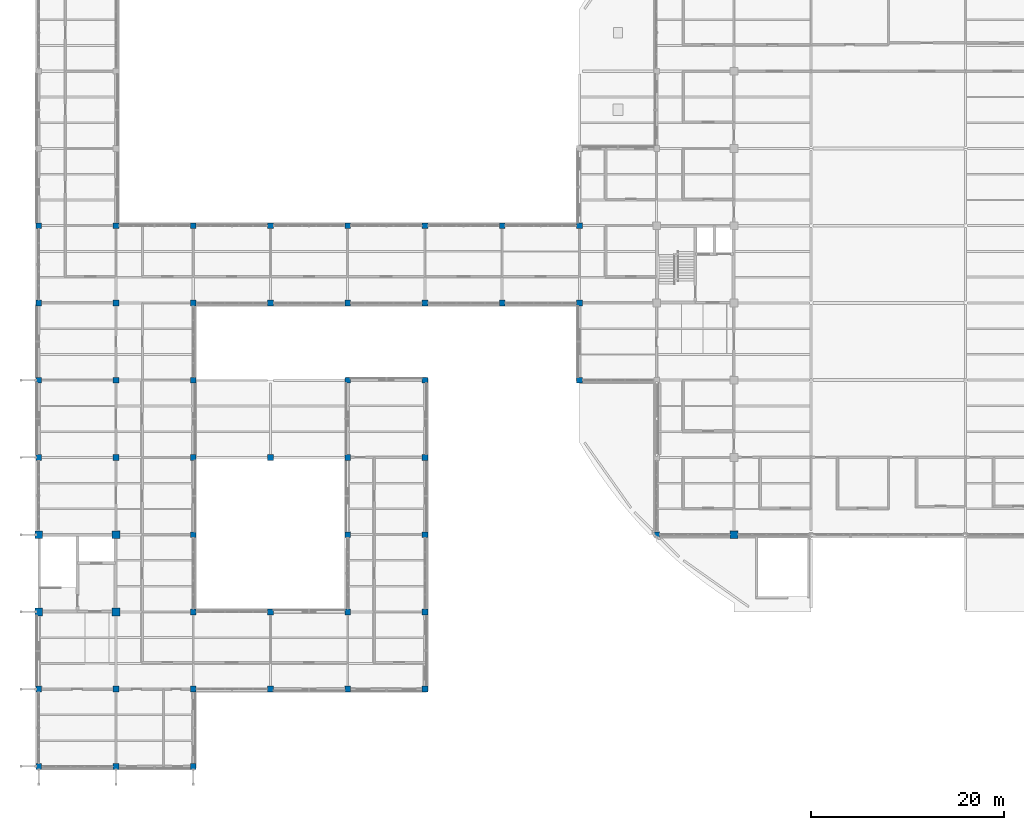
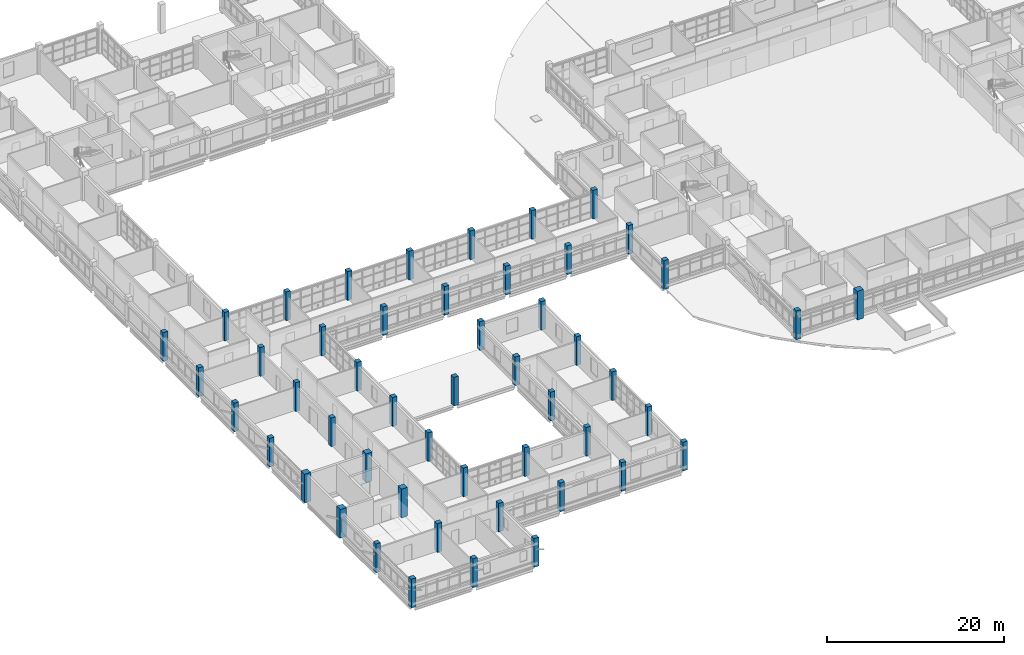
# One storey, part 1 of 126: 50 columns.
"""IFC4 building model written with IfcOpenShell, lengths in metres."""

import ifcopenshell
import ifcopenshell.guid

model = None  # the IFC model being written
_history = None  # IfcOwnerHistory: only IFC2X3 demands one
_inside = {}  # id of a spatial element -> (the spatial element, [elements in it])
_under = {}  # id of a project, library or spatial element -> (it, [spatial elements below it])
_declared = {}  # id of a project -> (the project, [libraries it declares])
_typed = {}  # id of a type object -> (the type object, [elements of that type])
_made_of = {}  # id of a material, layer set ... -> (it, [elements and type objects made of it])


def new_model(schema):
    """Start an empty IFC model of exactly this schema.

    Asked for "IFC4X3", IfcOpenShell would pick the latest addendum, in which some entities
    have other attributes; the version numbers below select the first issue.
    IFC2X3 requires an IfcOwnerHistory on every rooted entity: one is made here for all.
    """
    global model, _history
    if schema == "IFC4X3":
        model = ifcopenshell.file(schema_version=(4, 3, 0, 0))
    else:
        model = ifcopenshell.file(schema=schema)
    _inside.clear()
    _under.clear()
    _declared.clear()
    _typed.clear()
    _made_of.clear()
    _history = None
    if model.schema == "IFC2X3":
        org = make("IfcOrganization", Name="unknown")
        user = make(
            "IfcPersonAndOrganization",
            ThePerson=make("IfcPerson", FamilyName="unknown"),
            TheOrganization=org,
        )
        app = make(
            "IfcApplication",
            ApplicationDeveloper=org,
            Version="unknown",
            ApplicationFullName="unknown",
            ApplicationIdentifier="unknown",
        )
        _history = make(
            "IfcOwnerHistory",
            OwningUser=user,
            OwningApplication=app,
            ChangeAction="ADDED",
            CreationDate=0,
        )
    return model


def make(cls, **values):
    """One entity of the class cls with the attributes given. An attribute that is None is left unset."""
    return model.create_entity(
        cls, **{name: value for name, value in values.items() if value is not None}
    )


def rooted(cls, **values):
    """An entity with a GlobalId (a new one), such as an element, a storey or a relation."""
    return make(cls, GlobalId=ifcopenshell.guid.new(), OwnerHistory=_history, **values)


def si_unit(unit_type, name, prefix=None):
    """IfcSIUnit, for example si_unit("LENGTHUNIT", "METRE", prefix="MILLI")."""
    return make("IfcSIUnit", UnitType=unit_type, Prefix=prefix, Name=name)


def derived_unit(unit_type, elements):
    """IfcDerivedUnit: a product of units, each with its exponent."""
    return make(
        "IfcDerivedUnit",
        Elements=[
            make("IfcDerivedUnitElement", Unit=unit, Exponent=power)
            for unit, power in elements
        ],
        UnitType=unit_type,
    )


def assignment(units):
    """IfcUnitAssignment: the units of a project."""
    return None if units is None else make("IfcUnitAssignment", Units=units)


def point(xyz):
    """IfcCartesianPoint."""
    return None if xyz is None else make("IfcCartesianPoint", Coordinates=xyz)


def direction(xyz):
    """IfcDirection."""
    return None if xyz is None else make("IfcDirection", DirectionRatios=xyz)


def frame(location, z_axis=None, x_axis=None):
    """IfcAxis2Placement3D, a coordinate frame: its origin and axes. An axis left out is left unset."""
    return make(
        "IfcAxis2Placement3D",
        Location=point(location),
        Axis=direction(z_axis),
        RefDirection=direction(x_axis),
    )


def frame_2d(location, x_axis=None):
    """IfcAxis2Placement2D, a coordinate frame in the plane: its origin and x axis."""
    return make(
        "IfcAxis2Placement2D", Location=point(location), RefDirection=direction(x_axis)
    )


def origin():
    """The frame at (0, 0, 0) with its axes left unset."""
    return frame((0.0, 0.0, 0.0))


def origin_2d():
    """The frame at (0, 0) in the plane with its x axis left unset."""
    return frame_2d((0.0, 0.0))


def place(relative_to, where):
    """IfcLocalPlacement: puts the frame where relative to a parent placement (None: the world)."""
    return make(
        "IfcLocalPlacement", PlacementRelTo=relative_to, RelativePlacement=where
    )


def context(
    kind, dimensions, precision=None, world=None, true_north=None, identifier=None
):
    """IfcGeometricRepresentationContext, for example the 3D "Model" context."""
    return make(
        "IfcGeometricRepresentationContext",
        ContextIdentifier=identifier,
        ContextType=kind,
        CoordinateSpaceDimension=dimensions,
        Precision=precision,
        WorldCoordinateSystem=world,
        TrueNorth=true_north,
    )


def subcontext(parent, identifier, kind, view, scale=None):
    """IfcGeometricRepresentationSubContext, for example "Body" below "Model"."""
    return make(
        "IfcGeometricRepresentationSubContext",
        ContextIdentifier=identifier,
        ContextType=kind,
        ParentContext=parent,
        TargetScale=scale,
        TargetView=view,
    )


def project(units=None, contexts=None):
    """IfcProject with its units and contexts."""
    return rooted(
        "IfcProject",
        Name="project",
        RepresentationContexts=contexts,
        UnitsInContext=assignment(units),
    )


def spatial(cls, under=None, at=None, **own):
    """A site, building, storey or space (cls), placed at a placement, below another one or the project."""
    s = rooted(cls, ObjectPlacement=at, **own)
    if under is not None:
        _under.setdefault(under.id(), (under, []))[1].append(s)
    return s


def profile(cls, at=None, kind="AREA", **sizes):
    """A parametric profile (cls). Its sizes go by their IFC names, for example OverallWidth=200.0."""
    return make(cls, ProfileType=kind, Position=at, **sizes)


def rectangle(**sizes):
    """IfcRectangleProfileDef."""
    return profile("IfcRectangleProfileDef", **sizes)


def extrude(swept, where, along, depth):
    """IfcExtrudedAreaSolid: the profile swept, set in the frame where, extruded along a direction by depth."""
    return make(
        "IfcExtrudedAreaSolid",
        SweptArea=swept,
        Position=where,
        ExtrudedDirection=direction(along),
        Depth=depth,
    )


def shape(context_of_items, identifier, shape_type, items):
    """IfcShapeRepresentation: the items that make up one representation, for example the "Body"."""
    return make(
        "IfcShapeRepresentation",
        ContextOfItems=context_of_items,
        RepresentationIdentifier=identifier,
        RepresentationType=shape_type,
        Items=items,
    )


def material(Name=None, Category=None):
    """IfcMaterial."""
    return make("IfcMaterial", Name=Name, Category=Category)


def material_profile(
    of_material, cross_section, Name=None, Category=None, Priority=None
):
    """IfcMaterialProfile: a cross section and its material."""
    return make(
        "IfcMaterialProfile",
        Name=Name,
        Material=of_material,
        Profile=cross_section,
        Priority=Priority,
        Category=Category,
    )


def profile_set(profiles, Name=None, composite=None):
    """IfcMaterialProfileSet."""
    return make(
        "IfcMaterialProfileSet",
        Name=Name,
        MaterialProfiles=profiles,
        CompositeProfile=composite,
    )


def made_of(thing, what):
    """Note that an element or type object is made of a material, layer set ...; save() writes the relation."""
    if what is not None:
        _made_of.setdefault(what.id(), (what, []))[1].append(thing)
    return thing


def type_object(cls, material=None, **own):
    """A type object (cls), such as IfcWallType, which elements share."""
    return made_of(rooted(cls, **own), material)


def element(
    cls,
    number,
    at=None,
    inside=None,
    cuts=None,
    type_object=None,
    material=None,
    context=None,
    identifier="Body",
    shape_type=None,
    held_by="IfcProductDefinitionShape",
    body=None,
    shapes=None,
    **own,
):
    """One element of the class cls, such as IfcWall. Its Tag is "e" and its number.

    at: its placement. inside: the storey or other place that contains it. cuts: it is an
    opening in that element (IfcRelVoidsElement). A single representation is given by context,
    identifier, shape_type and body (its items); several are given by shapes. held_by: the class
    of the entity that holds the representations. save() writes the other relations.
    """
    e = rooted(cls, Tag="e%d" % number, ObjectPlacement=at, **own)
    if body is not None:
        shapes = [shape(context, identifier, shape_type, body)]
    if shapes is not None:
        e.Representation = make(held_by, Representations=shapes)
    if inside is not None:
        _inside.setdefault(inside.id(), (inside, []))[1].append(e)
    if cuts is not None:
        rooted(
            "IfcRelVoidsElement", RelatingBuildingElement=cuts, RelatedOpeningElement=e
        )
    if type_object is not None:
        _typed.setdefault(type_object.id(), (type_object, []))[1].append(e)
    return made_of(e, material)


def aggregate(whole, parts):
    """IfcRelAggregates: a whole, such as a stair, and the parts it consists of."""
    return rooted("IfcRelAggregates", RelatingObject=whole, RelatedObjects=parts)


def save(model, path):
    """Write the relations noted so far, then the file.

    IfcRelAggregates (storeys below a building ...), IfcRelContainedInSpatialStructure (elements
    in a storey), IfcRelDefinesByType, IfcRelAssociatesMaterial and IfcRelDeclares: one each for
    every whole, place, type object, material and project.
    """
    for whole, parts in _under.values():
        aggregate(whole, parts)
    for where, things in _inside.values():
        rooted(
            "IfcRelContainedInSpatialStructure",
            RelatedElements=things,
            RelatingStructure=where,
        )
    for kind, things in _typed.values():
        rooted("IfcRelDefinesByType", RelatedObjects=things, RelatingType=kind)
    for what, things in _made_of.values():
        rooted("IfcRelAssociatesMaterial", RelatedObjects=things, RelatingMaterial=what)
    for by, libraries in _declared.values():
        rooted("IfcRelDeclares", RelatingContext=by, RelatedDefinitions=libraries)
    model.write(path)


model = new_model("IFC4")

# Units and contexts
model_context = context("Model", 3, precision=1e-05, world=origin(), true_north=direction((0.0, 1.0)))
body_context = subcontext(model_context, "Body", "Model", "MODEL_VIEW")
ifc_project = project(units=[si_unit("LENGTHUNIT", "METRE"), si_unit("AREAUNIT", "SQUARE_METRE"), si_unit("VOLUMEUNIT", "CUBIC_METRE"), si_unit("PLANEANGLEUNIT", "RADIAN"), si_unit("MASSUNIT", "GRAM", prefix="KILO"), derived_unit("THERMALTRANSMITTANCEUNIT", [(si_unit("MASSUNIT", "GRAM", prefix="KILO"), 1), (si_unit("TIMEUNIT", "SECOND"), -3), (si_unit("THERMODYNAMICTEMPERATUREUNIT", "KELVIN"), -1)])], contexts=[model_context])

# Site, building, storey
site_placement = place(None, origin())
site = spatial("IfcSite", under=ifc_project, at=site_placement, CompositionType="ELEMENT")
building_placement = place(site_placement, origin())
building = spatial("IfcBuilding", under=site, at=building_placement, Name="Veyamyaing Civic Hall", CompositionType="ELEMENT")
storey_placement = place(building_placement, frame((0.0, 0.0, 9.89990234375)))
storey = spatial("IfcBuildingStorey", under=building, at=storey_placement, Name="L02", CompositionType="ELEMENT", Elevation=9.89990234375)

# Columns
ifc_material = material(Name="Concrete C45/55", Category="concrete")
ifc_material_profile_1 = material_profile(ifc_material, rectangle(XDim=0.800048828125, YDim=0.800048828125, at=origin_2d()), Name="RC-COL-800X800")
ifc_profile_set_1 = profile_set([ifc_material_profile_1], Name="Concrete C45/55")
column_type_1 = type_object("IfcColumnType", Name="C-02", PredefinedType="COLUMN", material=ifc_profile_set_1)
for number, where, z_axis, x_axis, name in (
    (1, (0.0, 16.0, 0.0), (0.0, 0.0, 1.0), (1.0, 0.0, 0.0), "Column C-02 1-C L02"),
    (2, (0.0, 24.0, 0.0), (0.0, 0.0, 1.0), (1.0, 0.0, 0.0), "Column C-02 1-D L02"),
    (3, (8.0, 16.0, 0.0), (0.0, 0.0, 1.0), (1.0, 0.0, 0.0), "Column C-02 2-C L02"),
    (4, (8.0, 24.0, 0.0), (0.0, 0.0, 1.0), (1.0, 0.0, 0.0), "Column C-02 2-D L02"),
    (5, (72.0, 24.0, 0.0), (0.0, 0.0, 1.0), (1.0, 0.0, 0.0), "Column C-02 10-D L02"),
):
    element("IfcColumn", number, at=place(storey_placement, frame(where, z_axis=z_axis, x_axis=x_axis)), inside=storey, type_object=column_type_1, Name=name, PredefinedType="COLUMN", context=body_context, shape_type="SweptSolid", body=[
        extrude(rectangle(XDim=0.800048828125, YDim=0.800048828125, at=origin_2d()), origin(), (0.0, 0.0, 1.0), 3.960205078125),
    ])
ifc_material_profile_2 = material_profile(ifc_material, rectangle(XDim=0.60009765625, YDim=0.60009765625, at=origin_2d()), Name="RC-COL-600X600")
ifc_profile_set_2 = profile_set([ifc_material_profile_2], Name="Concrete C45/55")
column_type_2 = type_object("IfcColumnType", Name="C-06", PredefinedType="COLUMN", material=ifc_profile_set_2)
for number, where, z_axis, x_axis, name in (
    (6, (0.0, 0.0, 0.0), (0.0, 0.0, 1.0), (1.0, 0.0, 0.0), "Column C-06 1-A L02"),
    (7, (0.0, 8.0, 0.0), (0.0, 0.0, 1.0), (1.0, 0.0, 0.0), "Column C-06 1-B L02"),
    (8, (0.0, 32.0, 0.0), (0.0, 0.0, 1.0), (1.0, 0.0, 0.0), "Column C-06 1-E L02"),
    (9, (0.0, 40.0, 0.0), (0.0, 0.0, 1.0), (1.0, 0.0, 0.0), "Column C-06 1-F L02"),
    (10, (0.0, 48.0, 0.0), (0.0, 0.0, 1.0), (1.0, 0.0, 0.0), "Column C-06 1-G L02"),
    (11, (0.0, 56.0, 0.0), (0.0, 0.0, 1.0), (1.0, 0.0, 0.0), "Column C-06 1-H L02"),
    (12, (8.0, 0.0, 0.0), (0.0, 0.0, 1.0), (1.0, 0.0, 0.0), "Column C-06 2-A L02"),
    (13, (8.0, 8.0, 0.0), (0.0, 0.0, 1.0), (1.0, 0.0, 0.0), "Column C-06 2-B L02"),
    (14, (8.0, 32.0, 0.0), (0.0, 0.0, 1.0), (1.0, 0.0, 0.0), "Column C-06 2-E L02"),
    (15, (8.0, 40.0, 0.0), (0.0, 0.0, 1.0), (1.0, 0.0, 0.0), "Column C-06 2-F L02"),
    (16, (8.0, 48.0, 0.0), (0.0, 0.0, 1.0), (1.0, 0.0, 0.0), "Column C-06 2-G L02"),
    (17, (8.0, 56.0, 0.0), (0.0, 0.0, 1.0), (1.0, 0.0, 0.0), "Column C-06 2-H L02"),
    (18, (16.0, 0.0, 0.0), (0.0, 0.0, 1.0), (1.0, 0.0, 0.0), "Column C-06 3-A L02"),
    (19, (16.0, 8.0, 0.0), (0.0, 0.0, 1.0), (1.0, 0.0, 0.0), "Column C-06 3-B L02"),
    (20, (16.0, 16.0, 0.0), (0.0, 0.0, 1.0), (1.0, 0.0, 0.0), "Column C-06 3-C L02"),
    (21, (16.0, 24.0, 0.0), (0.0, 0.0, 1.0), (1.0, 0.0, 0.0), "Column C-06 3-D L02"),
    (22, (16.0, 32.0, 0.0), (0.0, 0.0, 1.0), (1.0, 0.0, 0.0), "Column C-06 3-E L02"),
    (23, (16.0, 40.0, 0.0), (0.0, 0.0, 1.0), (1.0, 0.0, 0.0), "Column C-06 3-F L02"),
    (24, (16.0, 48.0, 0.0), (0.0, 0.0, 1.0), (1.0, 0.0, 0.0), "Column C-06 3-G L02"),
    (25, (16.0, 56.0, 0.0), (0.0, 0.0, 1.0), (1.0, 0.0, 0.0), "Column C-06 3-H L02"),
    (26, (24.0, 8.0, 0.0), (0.0, 0.0, 1.0), (1.0, 0.0, 0.0), "Column C-06 4-B L02"),
    (27, (24.0, 16.0, 0.0), (0.0, 0.0, 1.0), (1.0, 0.0, 0.0), "Column C-06 4-C L02"),
    (28, (24.0, 32.0, 0.0), (0.0, 0.0, 1.0), (1.0, 0.0, 0.0), "Column C-06 4-E L02"),
    (29, (24.0, 48.0, 0.0), (0.0, 0.0, 1.0), (1.0, 0.0, 0.0), "Column C-06 4-G L02"),
    (30, (24.0, 56.0, 0.0), (0.0, 0.0, 1.0), (1.0, 0.0, 0.0), "Column C-06 4-H L02"),
    (31, (32.0, 8.0, 0.0), (0.0, 0.0, 1.0), (1.0, 0.0, 0.0), "Column C-06 5-B L02"),
    (32, (32.0, 16.0, 0.0), (0.0, 0.0, 1.0), (1.0, 0.0, 0.0), "Column C-06 5-C L02"),
    (33, (32.0, 24.0, 0.0), (0.0, 0.0, 1.0), (1.0, 0.0, 0.0), "Column C-06 5-D L02"),
    (34, (32.0, 32.0, 0.0), (0.0, 0.0, 1.0), (1.0, 0.0, 0.0), "Column C-06 5-E L02"),
    (35, (32.0, 40.0, 0.0), (0.0, 0.0, 1.0), (1.0, 0.0, 0.0), "Column C-06 5-F L02"),
    (36, (32.0, 48.0, 0.0), (0.0, 0.0, 1.0), (1.0, 0.0, 0.0), "Column C-06 5-G L02"),
    (37, (32.0, 56.0, 0.0), (0.0, 0.0, 1.0), (1.0, 0.0, 0.0), "Column C-06 5-H L02"),
    (38, (40.0, 8.0, 0.0), (0.0, 0.0, 1.0), (1.0, 0.0, 0.0), "Column C-06 6-B L02"),
    (39, (40.0, 16.0, 0.0), (0.0, 0.0, 1.0), (1.0, 0.0, 0.0), "Column C-06 6-C L02"),
    (40, (40.0, 24.0, 0.0), (0.0, 0.0, 1.0), (1.0, 0.0, 0.0), "Column C-06 6-D L02"),
    (41, (40.0, 32.0, 0.0), (0.0, 0.0, 1.0), (1.0, 0.0, 0.0), "Column C-06 6-E L02"),
    (42, (40.0, 40.0, 0.0), (0.0, 0.0, 1.0), (1.0, 0.0, 0.0), "Column C-06 6-F L02"),
    (43, (40.0, 48.0, 0.0), (0.0, 0.0, 1.0), (1.0, 0.0, 0.0), "Column C-06 6-G L02"),
    (44, (40.0, 56.0, 0.0), (0.0, 0.0, 1.0), (1.0, 0.0, 0.0), "Column C-06 6-H L02"),
    (45, (48.0, 48.0, 0.0), (0.0, 0.0, 1.0), (1.0, 0.0, 0.0), "Column C-06 7-G L02"),
    (46, (48.0, 56.0, 0.0), (0.0, 0.0, 1.0), (1.0, 0.0, 0.0), "Column C-06 7-H L02"),
    (47, (56.0, 40.0, 0.0), (0.0, 0.0, 1.0), (1.0, 0.0, 0.0), "Column C-06 8-F L02"),
    (48, (56.0, 48.0, 0.0), (0.0, 0.0, 1.0), (1.0, 0.0, 0.0), "Column C-06 8-G L02"),
    (49, (56.0, 56.0, 0.0), (0.0, 0.0, 1.0), (1.0, 0.0, 0.0), "Column C-06 8-H L02"),
    (50, (64.0, 24.0, 0.0), (0.0, 0.0, 1.0), (1.0, 0.0, 0.0), "Column C-06 9-D L02"),
):
    element("IfcColumn", number, at=place(storey_placement, frame(where, z_axis=z_axis, x_axis=x_axis)), inside=storey, type_object=column_type_2, Name=name, PredefinedType="COLUMN", context=body_context, shape_type="SweptSolid", body=[
        extrude(rectangle(XDim=0.60009765625, YDim=0.60009765625, at=origin_2d()), origin(), (0.0, 0.0, 1.0), 3.960205078125),
    ])

save(model, "model.ifc")
